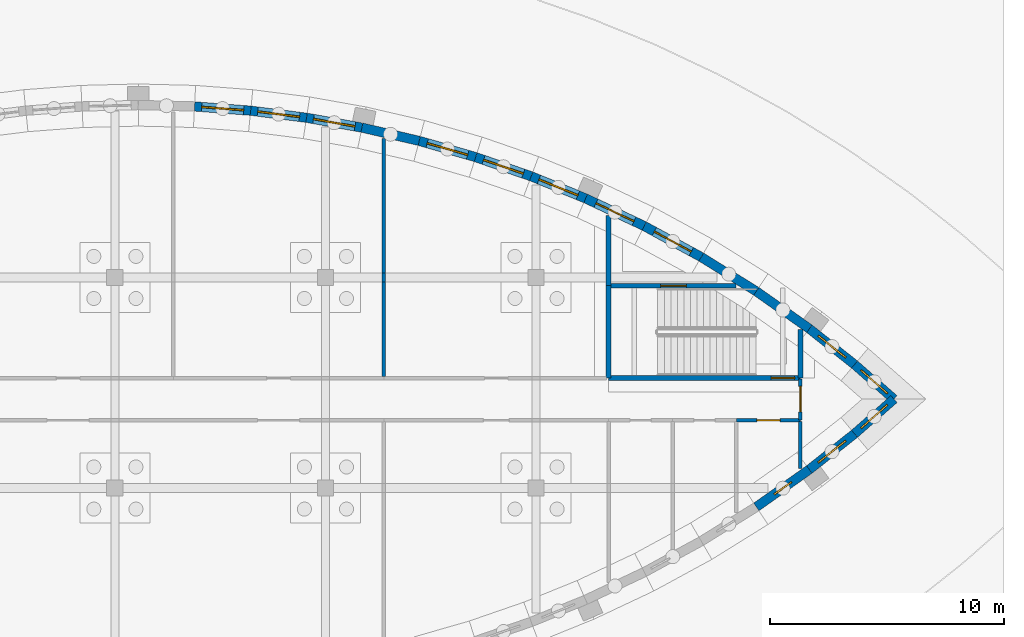
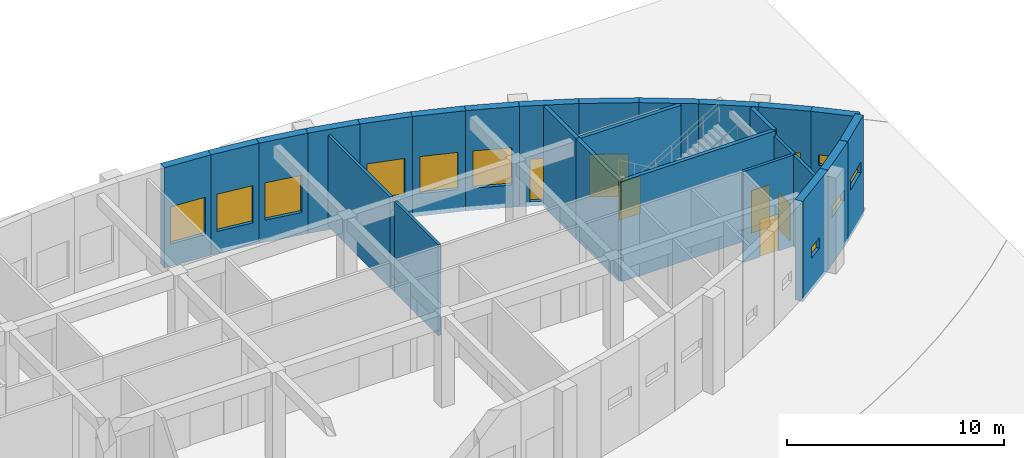
# One storey, part 68 of 82: 27 walls, 11 windows, 6 doors, 17 openings.
"""IFC4 building model written with IfcOpenShell, lengths in metres."""

from ifc_helpers import new_model, si_unit, direction, frame, frame_2d, origin, place, context, subcontext, project, spatial, rectangle, extrude, material, layer, layer_set, type_object, element, fill, save


model = new_model("IFC4")

# Units and contexts
model_context = context("Model", 3, precision=1e-05, world=origin(), true_north=direction((0.0, 1.0)))
body_context = subcontext(model_context, "Body", "Model", "MODEL_VIEW")
ifc_project = project(units=[si_unit("LENGTHUNIT", "METRE"), si_unit("AREAUNIT", "SQUARE_METRE"), si_unit("VOLUMEUNIT", "CUBIC_METRE"), si_unit("PLANEANGLEUNIT", "RADIAN"), si_unit("MASSUNIT", "GRAM", prefix="KILO")], contexts=[model_context])

# Site, building, storey
site_placement = place(None, origin())
site = spatial("IfcSite", under=ifc_project, at=site_placement, CompositionType="ELEMENT")
building_placement = place(site_placement, origin())
building = spatial("IfcBuilding", under=site, at=building_placement, Name="Tide Square Theatres", CompositionType="ELEMENT")
storey_placement = place(building_placement, origin())
storey = spatial("IfcBuildingStorey", under=building, at=storey_placement, Name="L00", CompositionType="ELEMENT", Elevation=0.0)

# Walls
ifc_material_1 = material(Name="Gypsum board on steel studs", Category="steel")
ifc_layer_1 = layer(ifc_material_1, 0.14990234375)
ifc_layer_set_1 = layer_set([ifc_layer_1], Name="Gypsum board on steel studs")
wall_type_1 = type_object("IfcWallType", Name="Partition 150 thick", PredefinedType="PARTITIONING", material=ifc_layer_set_1)
wall_1_placement = place(storey_placement, frame((140.5, 108.928466796875, 0.0), z_axis=(0.0, 0.0, 1.0), x_axis=(0.0, -1.0, 0.0)))
element("IfcWall", 1, at=wall_1_placement, inside=storey, type_object=wall_type_1, Name="Rehearsal Block partition", PredefinedType="PARTITIONING", context=body_context, shape_type="SweptSolid", body=[
    extrude(rectangle(XDim=5.728515625, YDim=0.14990234375, at=frame_2d((2.8642578125, 0.0))), origin(), (0.0, 0.0, 1.0), 5.1201171875),
])
wall_2_placement = place(storey_placement, frame((140.5, 103.199951171875, 0.0), z_axis=(0.0, 0.0, 1.0), x_axis=(0.0, -1.0, 0.0)))
element("IfcWall", 2, at=wall_2_placement, inside=storey, type_object=wall_type_1, Name="Rehearsal Block partition", PredefinedType="PARTITIONING", context=body_context, shape_type="SweptSolid", body=[
    extrude(rectangle(XDim=0.39990234375, YDim=0.14990234375, at=frame_2d((0.199951171875, 0.0))), origin(), (0.0, 0.0, 1.0), 4.320068359375),
])
wall_3_placement = place(storey_placement, frame((140.5, 102.800048828125, 0.0), z_axis=(0.0, 0.0, 1.0), x_axis=(0.0, -1.0, 0.0)))
element("IfcWall", 3, at=wall_3_placement, inside=storey, type_object=wall_type_1, Name="Rehearsal Block partition", PredefinedType="PARTITIONING", context=body_context, shape_type="SweptSolid", body=[
    extrude(rectangle(XDim=4.0400390625, YDim=0.14990234375, at=frame_2d((2.02001953125, 0.0))), origin(), (0.0, 0.0, 1.0), 5.1201171875),
])

# Wall, opening, door
wall_4_placement = place(storey_placement, frame((158.300048828125, 96.89990234375, 0.0), z_axis=(0.0, 0.0, 1.0), x_axis=(-1.0, 0.0, 0.0)))
wall_4 = element("IfcWall", 4, at=wall_4_placement, inside=storey, type_object=wall_type_1, Name="Rehearsal Block partition", PredefinedType="PARTITIONING", context=body_context, shape_type="SweptSolid", body=[
    extrude(rectangle(XDim=2.7333984375, YDim=0.14990234375, at=frame_2d((1.36669921875, 0.0))), origin(), (0.0, 0.0, 1.0), 5.1201171875),
])
opening_1_placement = place(wall_4_placement, frame((0.86669921875, 0.0, 0.0)))
opening_1 = element("IfcOpeningElement", 5, at=opening_1_placement, cuts=wall_4, Name="Opening R0-09", PredefinedType="OPENING", context=body_context, shape_type="SweptSolid", body=[
    extrude(rectangle(XDim=1.0, YDim=2.10009765625, at=frame_2d((0.5, 1.050048828125))), frame((0.0, 0.0849609375, 0.0), z_axis=(0.0, -1.0, 0.0), x_axis=(1.0, 0.0, 0.0)), (0.0, 0.0, 1.0), 0.169921875),
])
ifc_material_2 = material(Name="Hardwood timber", Category="wood")
door_type_1 = type_object("IfcDoorType", Name="Door 1000 x 2100 single leaf", OperationType="NOTDEFINED", PredefinedType="DOOR", material=ifc_material_2)
door_1_placement = place(opening_1_placement, origin())
door_1 = element("IfcDoor", 6, at=door_1_placement, inside=storey, type_object=door_type_1, Name="Rehearsal Block door R0-09 to Accessible WC E", OperationType="SINGLE_SWING_RIGHT", OverallHeight=2.10009765625, OverallWidth=1.0, PredefinedType="DOOR", context=body_context, shape_type="SweptSolid", body=[
    extrude(rectangle(XDim=1.0, YDim=2.10009765625, at=frame_2d((0.5, 1.050048828125))), frame((0.0, 0.02490234375, 0.0), z_axis=(0.0, -1.0, 0.0), x_axis=(1.0, 0.0, 0.0)), (0.0, 0.0, 1.0), 0.050048828125),
])
fill(opening_1, door_1)

# Wall
wall_5_placement = place(storey_placement, frame((158.300048828125, 96.840087890625, 0.0), z_axis=(0.0, 0.0, 1.0), x_axis=(0.0, -1.0, 0.0)))
element("IfcWall", 7, at=wall_5_placement, inside=storey, type_object=wall_type_1, Name="Rehearsal Block partition", PredefinedType="PARTITIONING", context=body_context, shape_type="SweptSolid", body=[
    extrude(rectangle(XDim=2.010986328125, YDim=0.14990234375, at=frame_2d((1.00537109375, 0.0))), origin(), (0.0, 0.0, 1.0), 5.1201171875),
])

# Wall, opening, door
wall_6_placement = place(storey_placement, frame((158.300048828125, 98.669921875, 0.0), z_axis=(0.0, 0.0, 1.0), x_axis=(0.0, -1.0, 0.0)))
wall_6 = element("IfcWall", 8, at=wall_6_placement, inside=storey, type_object=wall_type_1, Name="Rehearsal Block partition", PredefinedType="PARTITIONING", context=body_context, shape_type="SweptSolid", body=[
    extrude(rectangle(XDim=1.77001953125, YDim=0.14990234375, at=frame_2d((0.885009765625, 0.0))), origin(), (0.0, 0.0, 1.0), 5.1201171875),
])
opening_2_placement = place(wall_6_placement, frame((0.320068359375, 0.0, 0.0)))
opening_2 = element("IfcOpeningElement", 9, at=opening_2_placement, cuts=wall_6, Name="Opening R0-11", PredefinedType="OPENING", context=body_context, shape_type="SweptSolid", body=[
    extrude(rectangle(XDim=1.10009765625, YDim=2.10009765625, at=frame_2d((0.550048828125, 1.050048828125))), frame((0.0, 0.0849609375, 0.0), z_axis=(0.0, -1.0, 0.0), x_axis=(1.0, 0.0, 0.0)), (0.0, 0.0, 1.0), 0.169921875),
])
ifc_material_3 = material(Name="Painted steel", Category="steel")
door_type_2 = type_object("IfcDoorType", Name="Door 1100 x 2100 single leaf", OperationType="NOTDEFINED", PredefinedType="DOOR", material=ifc_material_3)
door_2_placement = place(opening_2_placement, origin())
door_2 = element("IfcDoor", 10, at=door_2_placement, inside=storey, type_object=door_type_2, Name="Rehearsal Block door R0-11 to Plant Room E", OperationType="SINGLE_SWING_RIGHT", OverallHeight=2.10009765625, OverallWidth=1.10009765625, PredefinedType="DOOR", context=body_context, shape_type="SweptSolid", body=[
    extrude(rectangle(XDim=1.10009765625, YDim=2.10009765625, at=frame_2d((0.550048828125, 1.050048828125))), frame((0.0, 0.02490234375, 0.0), z_axis=(0.0, -1.0, 0.0), x_axis=(1.0, 0.0, 0.0)), (0.0, 0.0, 1.0), 0.050048828125),
])
fill(opening_2, door_2)

# Wall, opening, window
ifc_material_4 = material(Name="Concrete C40", Category="concrete")
ifc_layer_2 = layer(ifc_material_4, 0.39990234375)
ifc_layer_set_2 = layer_set([ifc_layer_2], Name="Concrete C40")
wall_type_2 = type_object("IfcWallType", Name="RC curved wall 400 thick", PredefinedType="SOLIDWALL", material=ifc_layer_set_2)
wall_7_placement = place(storey_placement, frame((156.415283203125, 93.193115234375, -0.25), z_axis=(0.0, 0.0, 1.0), x_axis=(0.817028877428, 0.576596751161, 0.0)))
wall_7 = element("IfcWall", 11, at=wall_7_placement, inside=storey, type_object=wall_type_2, Name="Rehearsal Block perimeter wall 025", PredefinedType="SOLIDWALL", context=body_context, shape_type="SweptSolid", body=[
    extrude(rectangle(XDim=2.772216796875, YDim=0.39990234375, at=frame_2d((1.38623046875, 0.0))), origin(), (0.0, 0.0, 1.0), 5.64990234375),
])
opening_3_placement = place(wall_7_placement, frame((0.93603515625, 0.0, 1.85009765625)))
opening_3 = element("IfcOpeningElement", 12, at=opening_3_placement, cuts=wall_7, Name="Opening WN-12", PredefinedType="OPENING", context=body_context, shape_type="SweptSolid", body=[
    extrude(rectangle(XDim=0.89990234375, YDim=0.60009765625, at=frame_2d((0.449951171875, 0.300048828125))), frame((0.0, 0.2099609375, 0.0), z_axis=(0.0, -1.0, 0.0), x_axis=(1.0, 0.0, 0.0)), (0.0, 0.0, 1.0), 0.419921875),
])
ifc_material_5 = material(Name="Aluminium with laminated glass", Category="aluminium")
window_type_1 = type_object("IfcWindowType", Name="Window 900 x 600", PartitioningType="SINGLE_PANEL", PredefinedType="WINDOW", material=ifc_material_5)
window_1_placement = place(opening_3_placement, origin())
window_1 = element("IfcWindow", 13, at=window_1_placement, inside=storey, type_object=window_type_1, Name="Rehearsal Block window L00-23", OverallHeight=0.60009765625, OverallWidth=0.89990234375, PartitioningType="SINGLE_PANEL", PredefinedType="WINDOW", context=body_context, shape_type="SweptSolid", body=[
    extrude(rectangle(XDim=0.89990234375, YDim=0.60009765625, at=frame_2d((0.449951171875, 0.300048828125))), frame((0.0, 0.030029296875, 0.0), z_axis=(0.0, -1.0, 0.0), x_axis=(1.0, 0.0, 0.0)), (0.0, 0.0, 1.0), 0.06005859375),
])
fill(opening_3, window_1)

wall_8_placement = place(storey_placement, frame((158.68017578125, 94.79150390625, -0.25), z_axis=(0.0, 0.0, 1.0), x_axis=(0.784278812541, 0.620408530082, 0.0)))
wall_8 = element("IfcWall", 14, at=wall_8_placement, inside=storey, type_object=wall_type_2, Name="Rehearsal Block perimeter wall 026", PredefinedType="SOLIDWALL", context=body_context, shape_type="SweptSolid", body=[
    extrude(rectangle(XDim=2.464111328125, YDim=0.39990234375, at=frame_2d((1.23193359375, 0.0))), origin(), (0.0, 0.0, 1.0), 5.64990234375),
])
opening_4_placement = place(wall_8_placement, frame((0.48193359375, 0.0, 2.64990234375)))
opening_4 = element("IfcOpeningElement", 15, at=opening_4_placement, cuts=wall_8, Name="Opening WN-05", PredefinedType="OPENING", context=body_context, shape_type="SweptSolid", body=[
    extrude(rectangle(XDim=1.5, YDim=0.60009765625, at=frame_2d((0.75, 0.300048828125))), frame((0.0, 0.2099609375, 0.0), z_axis=(0.0, -1.0, 0.0), x_axis=(1.0, 0.0, 0.0)), (0.0, 0.0, 1.0), 0.419921875),
])
ifc_material_6 = material(Name="Aluminium with laminated glass", Category="aluminium")
window_type_2 = type_object("IfcWindowType", Name="Window 1500 x 600", PartitioningType="SINGLE_PANEL", PredefinedType="WINDOW", material=ifc_material_6)
window_2_placement = place(opening_4_placement, origin())
window_2 = element("IfcWindow", 16, at=window_2_placement, inside=storey, type_object=window_type_2, Name="Rehearsal Block window L00-24", OverallHeight=0.60009765625, OverallWidth=1.5, PartitioningType="SINGLE_PANEL", PredefinedType="WINDOW", context=body_context, shape_type="SweptSolid", body=[
    extrude(rectangle(XDim=1.5, YDim=0.60009765625, at=frame_2d((0.75, 0.300048828125))), frame((0.0, 0.030029296875, 0.0), z_axis=(0.0, -1.0, 0.0), x_axis=(1.0, 0.0, 0.0)), (0.0, 0.0, 1.0), 0.06005859375),
])
fill(opening_4, window_2)

wall_9_placement = place(storey_placement, frame((160.61279296875, 96.3203125, -0.25), z_axis=(0.0, 0.0, 1.0), x_axis=(0.751212351098, 0.660060605973, 0.0)))
wall_9 = element("IfcWall", 17, at=wall_9_placement, inside=storey, type_object=wall_type_2, Name="Rehearsal Block perimeter wall 027", PredefinedType="SOLIDWALL", context=body_context, shape_type="SweptSolid", body=[
    extrude(rectangle(XDim=2.24169921875, YDim=0.39990234375, at=frame_2d((1.120849609375, 0.0))), origin(), (0.0, 0.0, 1.0), 5.64990234375),
])
opening_5_placement = place(wall_9_placement, frame((0.370849609375, 0.0, 2.64990234375)))
opening_5 = element("IfcOpeningElement", 18, at=opening_5_placement, cuts=wall_9, Name="Opening WN-05", PredefinedType="OPENING", context=body_context, shape_type="SweptSolid", body=[
    extrude(rectangle(XDim=1.5, YDim=0.60009765625, at=frame_2d((0.75, 0.300048828125))), frame((0.0, 0.2099609375, 0.0), z_axis=(0.0, -1.0, 0.0), x_axis=(1.0, 0.0, 0.0)), (0.0, 0.0, 1.0), 0.419921875),
])
window_3_placement = place(opening_5_placement, origin())
window_3 = element("IfcWindow", 19, at=window_3_placement, inside=storey, type_object=window_type_2, Name="Rehearsal Block window L00-25", OverallHeight=0.60009765625, OverallWidth=1.5, PartitioningType="SINGLE_PANEL", PredefinedType="WINDOW", context=body_context, shape_type="SweptSolid", body=[
    extrude(rectangle(XDim=1.5, YDim=0.60009765625, at=frame_2d((0.75, 0.300048828125))), frame((0.0, 0.030029296875, 0.0), z_axis=(0.0, -1.0, 0.0), x_axis=(1.0, 0.0, 0.0)), (0.0, 0.0, 1.0), 0.06005859375),
])
fill(opening_5, window_3)

wall_10_placement = place(storey_placement, frame((162.296875, 97.800048828125, -0.25), z_axis=(0.0, 0.0, 1.0), x_axis=(-0.751212351098, 0.660060605973, 0.0)))
wall_10 = element("IfcWall", 20, at=wall_10_placement, inside=storey, type_object=wall_type_2, Name="Rehearsal Block perimeter wall 028", PredefinedType="SOLIDWALL", context=body_context, shape_type="SweptSolid", body=[
    extrude(rectangle(XDim=2.24169921875, YDim=0.39990234375, at=frame_2d((1.120849609375, 0.0))), origin(), (0.0, 0.0, 1.0), 5.64990234375),
])
opening_6_placement = place(wall_10_placement, frame((0.370849609375, 0.0, 2.64990234375)))
opening_6 = element("IfcOpeningElement", 21, at=opening_6_placement, cuts=wall_10, Name="Opening WN-05", PredefinedType="OPENING", context=body_context, shape_type="SweptSolid", body=[
    extrude(rectangle(XDim=1.5, YDim=0.60009765625, at=frame_2d((0.75, 0.300048828125))), frame((0.0, 0.2099609375, 0.0), z_axis=(0.0, -1.0, 0.0), x_axis=(1.0, 0.0, 0.0)), (0.0, 0.0, 1.0), 0.419921875),
])
window_4_placement = place(opening_6_placement, origin())
window_4 = element("IfcWindow", 22, at=window_4_placement, inside=storey, type_object=window_type_2, Name="Rehearsal Block window L00-26", OverallHeight=0.60009765625, OverallWidth=1.5, PartitioningType="SINGLE_PANEL", PredefinedType="WINDOW", context=body_context, shape_type="SweptSolid", body=[
    extrude(rectangle(XDim=1.5, YDim=0.60009765625, at=frame_2d((0.75, 0.300048828125))), frame((0.0, 0.030029296875, 0.0), z_axis=(0.0, -1.0, 0.0), x_axis=(1.0, 0.0, 0.0)), (0.0, 0.0, 1.0), 0.06005859375),
])
fill(opening_6, window_4)

wall_11_placement = place(storey_placement, frame((160.61279296875, 99.27978515625, -0.25), z_axis=(0.0, 0.0, 1.0), x_axis=(-0.784278812541, 0.620408530082, 0.0)))
wall_11 = element("IfcWall", 23, at=wall_11_placement, inside=storey, type_object=wall_type_2, Name="Rehearsal Block perimeter wall 029", PredefinedType="SOLIDWALL", context=body_context, shape_type="SweptSolid", body=[
    extrude(rectangle(XDim=2.464111328125, YDim=0.39990234375, at=frame_2d((1.23193359375, 0.0))), origin(), (0.0, 0.0, 1.0), 5.64990234375),
])
opening_7_placement = place(wall_11_placement, frame((0.48193359375, 0.0, 2.64990234375)))
opening_7 = element("IfcOpeningElement", 24, at=opening_7_placement, cuts=wall_11, Name="Opening WN-05", PredefinedType="OPENING", context=body_context, shape_type="SweptSolid", body=[
    extrude(rectangle(XDim=1.5, YDim=0.60009765625, at=frame_2d((0.75, 0.300048828125))), frame((0.0, 0.2099609375, 0.0), z_axis=(0.0, -1.0, 0.0), x_axis=(1.0, 0.0, 0.0)), (0.0, 0.0, 1.0), 0.419921875),
])
window_5_placement = place(opening_7_placement, origin())
window_5 = element("IfcWindow", 25, at=window_5_placement, inside=storey, type_object=window_type_2, Name="Rehearsal Block window L00-27", OverallHeight=0.60009765625, OverallWidth=1.5, PartitioningType="SINGLE_PANEL", PredefinedType="WINDOW", context=body_context, shape_type="SweptSolid", body=[
    extrude(rectangle(XDim=1.5, YDim=0.60009765625, at=frame_2d((0.75, 0.300048828125))), frame((0.0, 0.030029296875, 0.0), z_axis=(0.0, -1.0, 0.0), x_axis=(1.0, 0.0, 0.0)), (0.0, 0.0, 1.0), 0.06005859375),
])
fill(opening_7, window_5)

# Walls
for number, where, z_axis, x_axis, name in (
    (26, (158.68017578125, 100.80859375, -0.25), (0.0, 0.0, 1.0), (-0.817070367038, 0.57653795652, 0.0), "Rehearsal Block perimeter wall 030"),
    (27, (156.415283203125, 102.40673828125, -0.25), (0.0, 0.0, 1.0), (-0.84912946359, 0.528184772653, 0.0), "Rehearsal Block perimeter wall 031"),
):
    element("IfcWall", number, at=place(storey_placement, frame(where, z_axis=z_axis, x_axis=x_axis)), inside=storey, type_object=wall_type_2, Name=name, PredefinedType="SOLIDWALL", context=body_context, shape_type="SweptSolid", body=[
        extrude(rectangle(XDim=2.77197265625, YDim=0.39990234375, at=frame_2d((1.385986328125, 0.0))), origin(), (0.0, 0.0, 1.0), 5.64990234375),
    ])

# Wall, opening, door
wall_12_placement = place(storey_placement, frame((154.0615234375, 103.870849609375, -0.25), z_axis=(0.0, 0.0, 1.0), x_axis=(-0.878255502871, 0.478191668347, 0.0)))
wall_12 = element("IfcWall", 28, at=wall_12_placement, inside=storey, type_object=wall_type_2, Name="Rehearsal Block perimeter wall 032", PredefinedType="SOLIDWALL", context=body_context, shape_type="SweptSolid", body=[
    extrude(rectangle(XDim=2.771728515625, YDim=0.39990234375, at=frame_2d((1.3857421875, 0.0))), origin(), (0.0, 0.0, 1.0), 5.64990234375),
])
opening_8_placement = place(wall_12_placement, frame((0.48583984375, 0.0, 0.25)))
opening_8 = element("IfcOpeningElement", 29, at=opening_8_placement, cuts=wall_12, Name="Opening R0-02", PredefinedType="OPENING", context=body_context, shape_type="SweptSolid", body=[
    extrude(rectangle(XDim=1.800048828125, YDim=2.39990234375, at=frame_2d((0.89990234375, 1.199951171875))), frame((0.0, 0.2099609375, 0.0), z_axis=(0.0, -1.0, 0.0), x_axis=(1.0, 0.0, 0.0)), (0.0, 0.0, 1.0), 0.419921875),
])
ifc_material_7 = material(Name="Hardwood timber", Category="wood")
door_type_3 = type_object("IfcDoorType", Name="Door 1800 x 2400 double leaf", OperationType="DOUBLE_DOOR_SINGLE_SWING", PredefinedType="DOOR", material=ifc_material_7)
door_3_placement = place(opening_8_placement, frame((1.800048828125, 0.0, 0.0), z_axis=(0.0, 0.0, 1.0), x_axis=(-1.0, 0.0, 0.0)))
door_3 = element("IfcDoor", 30, at=door_3_placement, inside=storey, type_object=door_type_3, Name="Rehearsal Block stair discharge door R0-02", OperationType="DOUBLE_DOOR_SINGLE_SWING", OverallHeight=2.39990234375, OverallWidth=1.800048828125, PredefinedType="DOOR", context=body_context, shape_type="SweptSolid", body=[
    extrude(rectangle(XDim=1.800048828125, YDim=2.39990234375, at=frame_2d((0.89990234375, 1.199951171875))), frame((0.0, 0.02490234375, 0.0), z_axis=(0.0, -1.0, 0.0), x_axis=(1.0, 0.0, 0.0)), (0.0, 0.0, 1.0), 0.050048828125),
])
fill(opening_8, door_3)

wall_13_placement = place(storey_placement, frame((151.627197265625, 105.1962890625, -0.25), z_axis=(0.0, 0.0, 1.0), x_axis=(-0.904561064695, 0.42634408667, 0.0)))
wall_13 = element("IfcWall", 31, at=wall_13_placement, inside=storey, type_object=wall_type_2, Name="Rehearsal Block perimeter wall 033", PredefinedType="SOLIDWALL", context=body_context, shape_type="SweptSolid", body=[
    extrude(rectangle(XDim=2.772216796875, YDim=0.39990234375, at=frame_2d((1.38623046875, 0.0))), origin(), (0.0, 0.0, 1.0), 5.64990234375),
])
opening_9_placement = place(wall_13_placement, frame((0.486083984375, 0.0, 0.25)))
opening_9 = element("IfcOpeningElement", 32, at=opening_9_placement, cuts=wall_13, Name="Opening R0-03", PredefinedType="OPENING", context=body_context, shape_type="SweptSolid", body=[
    extrude(rectangle(XDim=1.800048828125, YDim=2.39990234375, at=frame_2d((0.89990234375, 1.199951171875))), frame((0.0, 0.2099609375, 0.0), z_axis=(0.0, -1.0, 0.0), x_axis=(1.0, 0.0, 0.0)), (0.0, 0.0, 1.0), 0.419921875),
])
door_4_placement = place(opening_9_placement, origin())
door_4 = element("IfcDoor", 33, at=door_4_placement, inside=storey, type_object=door_type_3, Name="Rehearsal Block exit door R0-03", OperationType="DOUBLE_DOOR_SINGLE_SWING", OverallHeight=2.39990234375, OverallWidth=1.800048828125, PredefinedType="DOOR", context=body_context, shape_type="SweptSolid", body=[
    extrude(rectangle(XDim=1.800048828125, YDim=2.39990234375, at=frame_2d((0.89990234375, 1.199951171875))), frame((0.0, 0.02490234375, 0.0), z_axis=(0.0, -1.0, 0.0), x_axis=(1.0, 0.0, 0.0)), (0.0, 0.0, 1.0), 0.050048828125),
])
fill(opening_9, door_4)

# Wall, opening, window
wall_14_placement = place(storey_placement, frame((149.11962890625, 106.378173828125, -0.25), z_axis=(0.0, 0.0, 1.0), x_axis=(-0.926688932252, 0.375829246921, 0.0)))
wall_14 = element("IfcWall", 34, at=wall_14_placement, inside=storey, type_object=wall_type_2, Name="Rehearsal Block perimeter wall 034", PredefinedType="SOLIDWALL", context=body_context, shape_type="SweptSolid", body=[
    extrude(rectangle(XDim=2.5107421875, YDim=0.39990234375, at=frame_2d((1.25537109375, 0.0))), origin(), (0.0, 0.0, 1.0), 5.64990234375),
])
opening_10_placement = place(wall_14_placement, frame((0.35546875, 0.0, 1.25)))
opening_10 = element("IfcOpeningElement", 35, at=opening_10_placement, cuts=wall_14, Name="Opening WN-14", PredefinedType="OPENING", context=body_context, shape_type="SweptSolid", body=[
    extrude(rectangle(XDim=1.800048828125, YDim=2.10009765625, at=frame_2d((0.89990234375, 1.050048828125))), frame((0.0, 0.2099609375, 0.0), z_axis=(0.0, -1.0, 0.0), x_axis=(1.0, 0.0, 0.0)), (0.0, 0.0, 1.0), 0.419921875),
])
ifc_material_8 = material(Name="Aluminium with laminated glass", Category="aluminium")
window_type_3 = type_object("IfcWindowType", Name="Window 1800 x 2100", PartitioningType="DOUBLE_PANEL_VERTICAL", PredefinedType="WINDOW", material=ifc_material_8)
window_6_placement = place(opening_10_placement, origin())
window_6 = element("IfcWindow", 36, at=window_6_placement, inside=storey, type_object=window_type_3, Name="Rehearsal Block window L00-28", OverallHeight=2.10009765625, OverallWidth=1.800048828125, PartitioningType="SINGLE_PANEL", PredefinedType="WINDOW", context=body_context, shape_type="SweptSolid", body=[
    extrude(rectangle(XDim=1.800048828125, YDim=2.10009765625, at=frame_2d((0.89990234375, 1.050048828125))), frame((0.0, 0.030029296875, 0.0), z_axis=(0.0, -1.0, 0.0), x_axis=(1.0, 0.0, 0.0)), (0.0, 0.0, 1.0), 0.06005859375),
])
fill(opening_10, window_6)

wall_15_placement = place(storey_placement, frame((146.79296875, 107.32177734375, -0.25), z_axis=(0.0, 0.0, 1.0), x_axis=(-0.945175475032, 0.326562890417, 0.0)))
wall_15 = element("IfcWall", 37, at=wall_15_placement, inside=storey, type_object=wall_type_2, Name="Rehearsal Block perimeter wall 035", PredefinedType="SOLIDWALL", context=body_context, shape_type="SweptSolid", body=[
    extrude(rectangle(XDim=2.51123046875, YDim=0.39990234375, at=frame_2d((1.255615234375, 0.0))), origin(), (0.0, 0.0, 1.0), 5.64990234375),
])
opening_11_placement = place(wall_15_placement, frame((0.35546875, 0.0, 1.25)))
opening_11 = element("IfcOpeningElement", 38, at=opening_11_placement, cuts=wall_15, Name="Opening WN-14", PredefinedType="OPENING", context=body_context, shape_type="SweptSolid", body=[
    extrude(rectangle(XDim=1.800048828125, YDim=2.10009765625, at=frame_2d((0.89990234375, 1.050048828125))), frame((0.0, 0.2099609375, 0.0), z_axis=(0.0, -1.0, 0.0), x_axis=(1.0, 0.0, 0.0)), (0.0, 0.0, 1.0), 0.419921875),
])
window_7_placement = place(opening_11_placement, origin())
window_7 = element("IfcWindow", 39, at=window_7_placement, inside=storey, type_object=window_type_3, Name="Rehearsal Block window L00-29", OverallHeight=2.10009765625, OverallWidth=1.800048828125, PartitioningType="SINGLE_PANEL", PredefinedType="WINDOW", context=body_context, shape_type="SweptSolid", body=[
    extrude(rectangle(XDim=1.800048828125, YDim=2.10009765625, at=frame_2d((0.89990234375, 1.050048828125))), frame((0.0, 0.030029296875, 0.0), z_axis=(0.0, -1.0, 0.0), x_axis=(1.0, 0.0, 0.0)), (0.0, 0.0, 1.0), 0.06005859375),
])
fill(opening_11, window_7)

wall_16_placement = place(storey_placement, frame((144.41943359375, 108.141845703125, -0.25), z_axis=(0.0, 0.0, 1.0), x_axis=(-0.961008605775, 0.276518461637, 0.0)))
wall_16 = element("IfcWall", 40, at=wall_16_placement, inside=storey, type_object=wall_type_2, Name="Rehearsal Block perimeter wall 036", PredefinedType="SOLIDWALL", context=body_context, shape_type="SweptSolid", body=[
    extrude(rectangle(XDim=2.510986328125, YDim=0.39990234375, at=frame_2d((1.25537109375, 0.0))), origin(), (0.0, 0.0, 1.0), 5.64990234375),
])
opening_12_placement = place(wall_16_placement, frame((0.35546875, 0.0, 1.25)))
opening_12 = element("IfcOpeningElement", 41, at=opening_12_placement, cuts=wall_16, Name="Opening WN-14", PredefinedType="OPENING", context=body_context, shape_type="SweptSolid", body=[
    extrude(rectangle(XDim=1.800048828125, YDim=2.10009765625, at=frame_2d((0.89990234375, 1.050048828125))), frame((0.0, 0.2099609375, 0.0), z_axis=(0.0, -1.0, 0.0), x_axis=(1.0, 0.0, 0.0)), (0.0, 0.0, 1.0), 0.419921875),
])
window_8_placement = place(opening_12_placement, origin())
window_8 = element("IfcWindow", 42, at=window_8_placement, inside=storey, type_object=window_type_3, Name="Rehearsal Block window L00-30", OverallHeight=2.10009765625, OverallWidth=1.800048828125, PartitioningType="SINGLE_PANEL", PredefinedType="WINDOW", context=body_context, shape_type="SweptSolid", body=[
    extrude(rectangle(XDim=1.800048828125, YDim=2.10009765625, at=frame_2d((0.89990234375, 1.050048828125))), frame((0.0, 0.030029296875, 0.0), z_axis=(0.0, -1.0, 0.0), x_axis=(1.0, 0.0, 0.0)), (0.0, 0.0, 1.0), 0.06005859375),
])
fill(opening_12, window_8)

# Wall
wall_17_placement = place(storey_placement, frame((142.00634765625, 108.836181640625, -0.25), z_axis=(0.0, 0.0, 1.0), x_axis=(-0.974189274843, 0.225732710925, 0.0)))
element("IfcWall", 43, at=wall_17_placement, inside=storey, type_object=wall_type_2, Name="Rehearsal Block perimeter wall 037", PredefinedType="SOLIDWALL", context=body_context, shape_type="SweptSolid", body=[
    extrude(rectangle(XDim=2.511474609375, YDim=0.39990234375, at=frame_2d((1.255859375, 0.0))), origin(), (0.0, 0.0, 1.0), 5.64990234375),
])

# Wall, opening, window
wall_18_placement = place(storey_placement, frame((139.559814453125, 109.403076171875, -0.25), z_axis=(0.0, 0.0, 1.0), x_axis=(-0.984524011381, 0.175249738987, 0.0)))
wall_18 = element("IfcWall", 44, at=wall_18_placement, inside=storey, type_object=wall_type_2, Name="Rehearsal Block perimeter wall 038", PredefinedType="SOLIDWALL", context=body_context, shape_type="SweptSolid", body=[
    extrude(rectangle(XDim=2.406005859375, YDim=0.39990234375, at=frame_2d((1.203125, 0.0))), origin(), (0.0, 0.0, 1.0), 5.64990234375),
])
opening_13_placement = place(wall_18_placement, frame((0.302978515625, 0.0, 1.25)))
opening_13 = element("IfcOpeningElement", 45, at=opening_13_placement, cuts=wall_18, Name="Opening WN-14", PredefinedType="OPENING", context=body_context, shape_type="SweptSolid", body=[
    extrude(rectangle(XDim=1.800048828125, YDim=2.10009765625, at=frame_2d((0.89990234375, 1.050048828125))), frame((0.0, 0.2099609375, 0.0), z_axis=(0.0, -1.0, 0.0), x_axis=(1.0, 0.0, 0.0)), (0.0, 0.0, 1.0), 0.419921875),
])
window_9_placement = place(opening_13_placement, origin())
window_9 = element("IfcWindow", 46, at=window_9_placement, inside=storey, type_object=window_type_3, Name="Rehearsal Block window L00-31", OverallHeight=2.10009765625, OverallWidth=1.800048828125, PartitioningType="SINGLE_PANEL", PredefinedType="WINDOW", context=body_context, shape_type="SweptSolid", body=[
    extrude(rectangle(XDim=1.800048828125, YDim=2.10009765625, at=frame_2d((0.89990234375, 1.050048828125))), frame((0.0, 0.030029296875, 0.0), z_axis=(0.0, -1.0, 0.0), x_axis=(1.0, 0.0, 0.0)), (0.0, 0.0, 1.0), 0.06005859375),
])
fill(opening_13, window_9)

wall_19_placement = place(storey_placement, frame((137.191162109375, 109.82470703125, -0.25), z_axis=(0.0, 0.0, 1.0), x_axis=(-0.99208939311, 0.125533406227, 0.0)))
wall_19 = element("IfcWall", 47, at=wall_19_placement, inside=storey, type_object=wall_type_2, Name="Rehearsal Block perimeter wall 039", PredefinedType="SOLIDWALL", context=body_context, shape_type="SweptSolid", body=[
    extrude(rectangle(XDim=2.40576171875, YDim=0.39990234375, at=frame_2d((1.202880859375, 0.0))), origin(), (0.0, 0.0, 1.0), 5.64990234375),
])
opening_14_placement = place(wall_19_placement, frame((0.302978515625, 0.0, 1.25)))
opening_14 = element("IfcOpeningElement", 48, at=opening_14_placement, cuts=wall_19, Name="Opening WN-14", PredefinedType="OPENING", context=body_context, shape_type="SweptSolid", body=[
    extrude(rectangle(XDim=1.800048828125, YDim=2.10009765625, at=frame_2d((0.89990234375, 1.050048828125))), frame((0.0, 0.2099609375, 0.0), z_axis=(0.0, -1.0, 0.0), x_axis=(1.0, 0.0, 0.0)), (0.0, 0.0, 1.0), 0.419921875),
])
window_10_placement = place(opening_14_placement, origin())
window_10 = element("IfcWindow", 49, at=window_10_placement, inside=storey, type_object=window_type_3, Name="Rehearsal Block window L00-32", OverallHeight=2.10009765625, OverallWidth=1.800048828125, PartitioningType="SINGLE_PANEL", PredefinedType="WINDOW", context=body_context, shape_type="SweptSolid", body=[
    extrude(rectangle(XDim=1.800048828125, YDim=2.10009765625, at=frame_2d((0.89990234375, 1.050048828125))), frame((0.0, 0.030029296875, 0.0), z_axis=(0.0, -1.0, 0.0), x_axis=(1.0, 0.0, 0.0)), (0.0, 0.0, 1.0), 0.06005859375),
])
fill(opening_14, window_10)

wall_20_placement = place(storey_placement, frame((134.804443359375, 110.126708984375, -0.25), z_axis=(0.0, 0.0, 1.0), x_axis=(-0.997153910364, 0.075392831525, 0.0)))
wall_20 = element("IfcWall", 50, at=wall_20_placement, inside=storey, type_object=wall_type_2, Name="Rehearsal Block perimeter wall 040", PredefinedType="SOLIDWALL", context=body_context, shape_type="SweptSolid", body=[
    extrude(rectangle(XDim=2.406005859375, YDim=0.39990234375, at=frame_2d((1.203125, 0.0))), origin(), (0.0, 0.0, 1.0), 5.64990234375),
])
opening_15_placement = place(wall_20_placement, frame((0.302978515625, 0.0, 1.25)))
opening_15 = element("IfcOpeningElement", 51, at=opening_15_placement, cuts=wall_20, Name="Opening WN-14", PredefinedType="OPENING", context=body_context, shape_type="SweptSolid", body=[
    extrude(rectangle(XDim=1.800048828125, YDim=2.10009765625, at=frame_2d((0.89990234375, 1.050048828125))), frame((0.0, 0.2099609375, 0.0), z_axis=(0.0, -1.0, 0.0), x_axis=(1.0, 0.0, 0.0)), (0.0, 0.0, 1.0), 0.419921875),
])
window_11_placement = place(opening_15_placement, origin())
window_11 = element("IfcWindow", 52, at=window_11_placement, inside=storey, type_object=window_type_3, Name="Rehearsal Block window L00-33", OverallHeight=2.10009765625, OverallWidth=1.800048828125, PartitioningType="SINGLE_PANEL", PredefinedType="WINDOW", context=body_context, shape_type="SweptSolid", body=[
    extrude(rectangle(XDim=1.800048828125, YDim=2.10009765625, at=frame_2d((0.89990234375, 1.050048828125))), frame((0.0, 0.030029296875, 0.0), z_axis=(0.0, -1.0, 0.0), x_axis=(1.0, 0.0, 0.0)), (0.0, 0.0, 1.0), 0.06005859375),
])
fill(opening_15, window_11)

# Wall, opening, door
ifc_material_9 = material(Name="Concrete C40", Category="concrete")
ifc_layer_3 = layer(ifc_material_9, 0.199951171875)
ifc_layer_set_3 = layer_set([ifc_layer_3], Name="Concrete C40")
wall_type_3 = type_object("IfcWallType", Name="RC shear wall 200 thick", PredefinedType="SHEAR", material=ifc_layer_set_3)
wall_21_placement = place(storey_placement, frame((150.10009765625, 102.64990234375, -0.25), z_axis=(0.0, 0.0, 1.0), x_axis=(1.0, 0.0, 0.0)))
wall_21 = element("IfcWall", 53, at=wall_21_placement, inside=storey, type_object=wall_type_3, Name="Rehearsal Block stair enclosure wall", PredefinedType="SHEAR", context=body_context, shape_type="SweptSolid", body=[
    extrude(rectangle(XDim=5.450927734375, YDim=0.199951171875, at=frame_2d((2.7255859375, 0.0))), origin(), (0.0, 0.0, 1.0), 5.64990234375),
])
opening_16_placement = place(wall_21_placement, frame((2.222900390625, 0.0, 0.25)))
opening_16 = element("IfcOpeningElement", 54, at=opening_16_placement, cuts=wall_21, Name="Opening R0-23", PredefinedType="OPENING", context=body_context, shape_type="SweptSolid", body=[
    extrude(rectangle(XDim=1.10009765625, YDim=2.10009765625, at=frame_2d((0.550048828125, 1.050048828125))), frame((0.0, 0.10986328125, 0.0), z_axis=(0.0, -1.0, 0.0), x_axis=(1.0, 0.0, 0.0)), (0.0, 0.0, 1.0), 0.219970703125),
])
door_5_placement = place(opening_16_placement, frame((1.10009765625, 0.0, 0.0), z_axis=(0.0, 0.0, 1.0), x_axis=(-1.0, 0.0, 0.0)))
door_5 = element("IfcDoor", 55, at=door_5_placement, inside=storey, type_object=door_type_2, Name="Rehearsal Block door R0-23 stair door to Stair Discharge Lobby 2", OperationType="SINGLE_SWING_LEFT", OverallHeight=2.10009765625, OverallWidth=1.10009765625, PredefinedType="DOOR", context=body_context, shape_type="SweptSolid", body=[
    extrude(rectangle(XDim=1.10009765625, YDim=2.10009765625, at=frame_2d((0.550048828125, 1.050048828125))), frame((0.0, 0.02490234375, 0.0), z_axis=(0.0, -1.0, 0.0), x_axis=(1.0, 0.0, 0.0)), (0.0, 0.0, 1.0), 0.050048828125),
])
fill(opening_16, door_5)

# Walls
wall_22_placement = place(storey_placement, frame((150.10009765625, 102.64990234375, -0.25), z_axis=(0.0, 0.0, 1.0), x_axis=(0.0, 1.0, 0.0)))
element("IfcWall", 56, at=wall_22_placement, inside=storey, type_object=wall_type_3, Name="Rehearsal Block stair enclosure wall", PredefinedType="SHEAR", context=body_context, shape_type="SweptSolid", body=[
    extrude(rectangle(XDim=2.98974609375, YDim=0.199951171875, at=frame_2d((1.494873046875, 0.0))), origin(), (0.0, 0.0, 1.0), 5.64990234375),
])
wall_23_placement = place(storey_placement, frame((158.300048828125, 100.770751953125, -0.25), z_axis=(0.0, 0.0, 1.0), x_axis=(0.0, -1.0, 0.0)))
element("IfcWall", 57, at=wall_23_placement, inside=storey, type_object=wall_type_3, Name="Rehearsal Block stair enclosure wall", PredefinedType="SHEAR", context=body_context, shape_type="SweptSolid", body=[
    extrude(rectangle(XDim=2.07080078125, YDim=0.199951171875, at=frame_2d((1.035400390625, 0.0))), origin(), (0.0, 0.0, 1.0), 5.64990234375),
])

# Wall, opening, door
wall_24_placement = place(storey_placement, frame((158.300048828125, 98.699951171875, -0.25), z_axis=(0.0, 0.0, 1.0), x_axis=(-1.0, 0.0, 0.0)))
wall_24 = element("IfcWall", 58, at=wall_24_placement, inside=storey, type_object=wall_type_3, Name="Rehearsal Block stair enclosure wall", PredefinedType="SHEAR", context=body_context, shape_type="SweptSolid", body=[
    extrude(rectangle(XDim=8.199951171875, YDim=0.199951171875, at=frame_2d((4.10009765625, 0.0))), origin(), (0.0, 0.0, 1.0), 5.64990234375),
])
opening_17_placement = place(wall_24_placement, frame((0.25, 0.0, 0.25)))
opening_17 = element("IfcOpeningElement", 59, at=opening_17_placement, cuts=wall_24, Name="Opening R0-22", PredefinedType="OPENING", context=body_context, shape_type="SweptSolid", body=[
    extrude(rectangle(XDim=1.0, YDim=2.39990234375, at=frame_2d((0.5, 1.199951171875))), frame((0.0, 0.10986328125, 0.0), z_axis=(0.0, -1.0, 0.0), x_axis=(1.0, 0.0, 0.0)), (0.0, 0.0, 1.0), 0.219970703125),
])
ifc_material_10 = material(Name="Hardwood timber", Category="wood")
door_type_4 = type_object("IfcDoorType", Name="Door 1000 x 2400 single leaf", OperationType="NOTDEFINED", PredefinedType="DOOR", material=ifc_material_10)
door_6_placement = place(opening_17_placement, origin())
door_6 = element("IfcDoor", 60, at=door_6_placement, inside=storey, type_object=door_type_4, Name="Rehearsal Block door R0-22 stair door to Stair 2", OperationType="SINGLE_SWING_LEFT", OverallHeight=2.39990234375, OverallWidth=1.0, PredefinedType="DOOR", context=body_context, shape_type="SweptSolid", body=[
    extrude(rectangle(XDim=1.0, YDim=2.39990234375, at=frame_2d((0.5, 1.199951171875))), frame((0.0, 0.02490234375, 0.0), z_axis=(0.0, -1.0, 0.0), x_axis=(1.0, 0.0, 0.0)), (0.0, 0.0, 1.0), 0.050048828125),
])
fill(opening_17, door_6)

# Wall
wall_25_placement = place(storey_placement, frame((150.10009765625, 98.699951171875, -0.25), z_axis=(0.0, 0.0, 1.0), x_axis=(0.0, 1.0, 0.0)))
element("IfcWall", 61, at=wall_25_placement, inside=storey, type_object=wall_type_3, Name="Rehearsal Block stair enclosure wall", PredefinedType="SHEAR", context=body_context, shape_type="SweptSolid", body=[
    extrude(rectangle(XDim=3.949951171875, YDim=0.199951171875, at=frame_2d((1.97509765625, 0.0))), origin(), (0.0, 0.0, 1.0), 5.64990234375),
])

save(model, "model.ifc")
